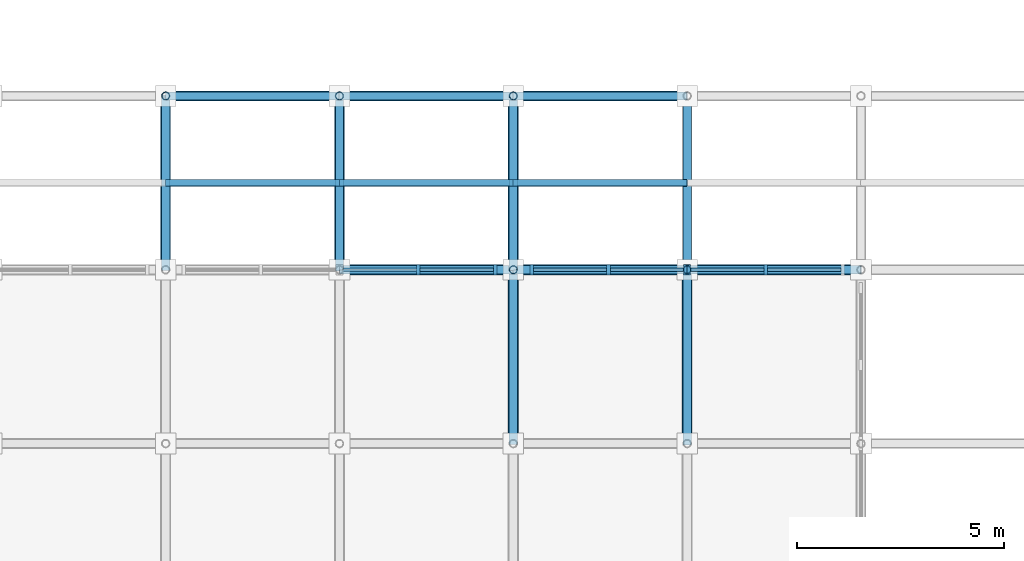
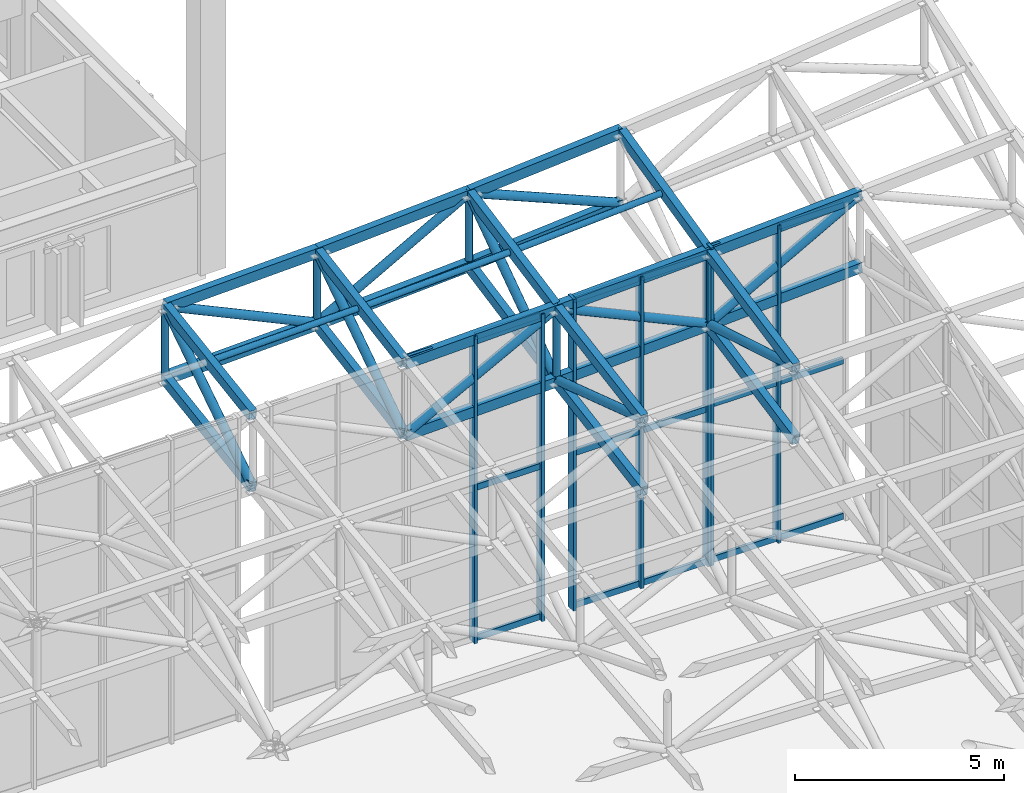
# One storey, part 57 of 123: 65 members, 3 elements without a shape of their own.
"""IFC4 building model written with IfcOpenShell, lengths in metres."""

from ifc_helpers import new_model, si_unit, direction, frame, origin, origin_2d, place, context, subcontext, project, spatial, rectangle, hollow_rectangle, hollow_circle, extrude, material, material_profile, profile_set, type_object, element, aggregate, save


model = new_model("IFC4")

# Units and contexts
model_context = context("Model", 3, precision=1e-05, world=origin(), true_north=direction((0.0, 1.0)))
body_context = subcontext(model_context, "Body", "Model", "MODEL_VIEW")
ifc_project = project(units=[si_unit("LENGTHUNIT", "METRE"), si_unit("AREAUNIT", "SQUARE_METRE"), si_unit("VOLUMEUNIT", "CUBIC_METRE"), si_unit("PLANEANGLEUNIT", "RADIAN"), si_unit("MASSUNIT", "GRAM", prefix="KILO")], contexts=[model_context])

# Site, building, storey
site_placement = place(None, origin())
site = spatial("IfcSite", under=ifc_project, at=site_placement, CompositionType="ELEMENT")
building_placement = place(site_placement, origin())
building = spatial("IfcBuilding", under=site, at=building_placement, Name="Cumbredor Promenade Congress Hotel", CompositionType="ELEMENT")
storey_placement = place(building_placement, frame((0.0, 0.0, 11.760009765625)))
storey = spatial("IfcBuildingStorey", under=building, at=storey_placement, Name="L03", CompositionType="ELEMENT", Elevation=11.760009765625)

# Members
ifc_material_1 = material(Name="Steel ASTM A500 Grade C", Category="steel")
ifc_material_profile_1 = material_profile(ifc_material_1, hollow_rectangle(XDim=0.199951171875, YDim=0.300048828125, WallThickness=0.012451171875, at=origin_2d()), Name="HSS 300x200x12.5")
ifc_profile_set_1 = profile_set([ifc_material_profile_1], Name="Steel ASTM A500 Grade C")
member_type_1 = type_object("IfcMemberType", Name="Ballroom Roof Space Frame Chord", PredefinedType="CHORD", material=ifc_profile_set_1)
for number, where, z_axis, x_axis, name in (
    (1, (172.199951171875, 67.199951171875, 8.807373046875), (0.999569410131, 0.0, 0.029342704884), (0.0, 1.0, 0.0), "Grand Ballroom Pavilion X Top Chord 9.17"),
    (2, (172.199951171875, 67.199951171875, 6.707275390625), (0.999567704243, 0.0, 0.029400759074), (0.0, 1.0, 0.0), "Grand Ballroom Pavilion X Bottom Chord 9.17"),
):
    element("IfcMember", number, at=place(storey_placement, frame(where, z_axis=z_axis, x_axis=x_axis)), inside=storey, type_object=member_type_1, Name=name, PredefinedType="CHORD", context=body_context, shape_type="SweptSolid", body=[
        extrude(hollow_rectangle(XDim=0.199951171875, YDim=0.300048828125, WallThickness=0.012451171875, at=origin_2d()), origin(), (0.0, 0.0, 1.0), 4.20166015625),
    ])
member_1_placement = place(storey_placement, frame((176.39990234375, 67.199951171875, 8.9306640625), z_axis=(0.99915666464, 0.0, 0.041060437218), x_axis=(0.0, 1.0, 0.0)))
element("IfcMember", 3, at=member_1_placement, inside=storey, type_object=member_type_1, Name="Grand Ballroom Pavilion X Top Chord 10.17", PredefinedType="CHORD", context=body_context, shape_type="SweptSolid", body=[
    extrude(hollow_rectangle(XDim=0.199951171875, YDim=0.300048828125, WallThickness=0.012451171875, at=origin_2d()), origin(), (0.0, 0.0, 1.0), 4.203857421875),
])
member_2_placement = place(storey_placement, frame((176.39990234375, 67.199951171875, 6.830810546875), z_axis=(0.99915904562, 0.0, 0.041002457929), x_axis=(0.0, 1.0, 0.0)))
element("IfcMember", 4, at=member_2_placement, inside=storey, type_object=member_type_1, Name="Grand Ballroom Pavilion X Bottom Chord 10.17", PredefinedType="CHORD", context=body_context, shape_type="SweptSolid", body=[
    extrude(hollow_rectangle(XDim=0.199951171875, YDim=0.300048828125, WallThickness=0.012451171875, at=origin_2d()), origin(), (0.0, 0.0, 1.0), 4.20361328125),
])
for number, where, z_axis, x_axis, name in (
    (5, (180.60009765625, 67.199951171875, 9.103271484375), (0.998616064852, 0.0, 0.052592347541), (0.0, 1.0, 0.0), "Grand Ballroom Pavilion X Top Chord 11.17"),
    (6, (180.60009765625, 67.199951171875, 7.003173828125), (0.998613014478, 0.0, 0.052650235664), (0.0, 1.0, 0.0), "Grand Ballroom Pavilion X Bottom Chord 11.17"),
):
    element("IfcMember", number, at=place(storey_placement, frame(where, z_axis=z_axis, x_axis=x_axis)), inside=storey, type_object=member_type_1, Name=name, PredefinedType="CHORD", context=body_context, shape_type="SweptSolid", body=[
        extrude(hollow_rectangle(XDim=0.199951171875, YDim=0.300048828125, WallThickness=0.012451171875, at=origin_2d()), origin(), (0.0, 0.0, 1.0), 4.205810546875),
    ])
for number, where, z_axis, x_axis, name in (
    (7, (168.0, 71.39990234375, 9.376220703125), (0.999437986157, 0.0, 0.033521811196), (0.0, 1.0, 0.0), "Grand Ballroom Pavilion X Top Chord 8.18"),
    (8, (168.0, 71.39990234375, 7.276123046875), (0.999437986157, 0.0, 0.033521811196), (0.0, 1.0, 0.0), "Grand Ballroom Pavilion X Bottom Chord 8.18"),
):
    element("IfcMember", number, at=place(storey_placement, frame(where, z_axis=z_axis, x_axis=x_axis)), inside=storey, type_object=member_type_1, Name=name, PredefinedType="CHORD", context=body_context, shape_type="SweptSolid", body=[
        extrude(hollow_rectangle(XDim=0.199951171875, YDim=0.300048828125, WallThickness=0.012451171875, at=origin_2d()), origin(), (0.0, 0.0, 1.0), 4.202392578125),
    ])
for number, where, z_axis, x_axis, name in (
    (9, (172.199951171875, 71.39990234375, 9.51708984375), (0.998446571725, 0.0, 0.055717532341), (0.0, 1.0, 0.0), "Grand Ballroom Pavilion X Top Chord 9.18"),
    (10, (172.199951171875, 71.39990234375, 7.4169921875), (0.998443341288, 0.0, 0.055775390977), (0.0, 1.0, 0.0), "Grand Ballroom Pavilion X Bottom Chord 9.18"),
):
    element("IfcMember", number, at=place(storey_placement, frame(where, z_axis=z_axis, x_axis=x_axis)), inside=storey, type_object=member_type_1, Name=name, PredefinedType="CHORD", context=body_context, shape_type="SweptSolid", body=[
        extrude(hollow_rectangle(XDim=0.199951171875, YDim=0.300048828125, WallThickness=0.012451171875, at=origin_2d()), origin(), (0.0, 0.0, 1.0), 4.20654296875),
    ])
for number, where, z_axis, x_axis, name in (
    (11, (176.39990234375, 71.39990234375, 9.75146484375), (0.996962422583, 0.0, 0.077884067423), (0.0, 1.0, 0.0), "Grand Ballroom Pavilion X Top Chord 10.18"),
    (12, (176.39990234375, 71.39990234375, 7.651611328125), (0.996962422583, 0.0, 0.077884067423), (0.0, 1.0, 0.0), "Grand Ballroom Pavilion X Bottom Chord 10.18"),
):
    element("IfcMember", number, at=place(storey_placement, frame(where, z_axis=z_axis, x_axis=x_axis)), inside=storey, type_object=member_type_1, Name=name, PredefinedType="CHORD", context=body_context, shape_type="SweptSolid", body=[
        extrude(hollow_rectangle(XDim=0.199951171875, YDim=0.300048828125, WallThickness=0.012451171875, at=origin_2d()), origin(), (0.0, 0.0, 1.0), 4.212890625),
    ])
for number, where, z_axis, x_axis, name in (
    (13, (168.0, 67.199951171875, 8.7333984375), (0.0, 0.988488979829, 0.151292884025), (-1.0, 0.0, 0.0), "Grand Ballroom Pavilion Y Top Chord 8.17"),
    (14, (168.0, 67.199951171875, 6.63330078125), (0.0, 0.988488979829, 0.151292884025), (-1.0, 0.0, 0.0), "Grand Ballroom Pavilion Y Bottom Chord 8.17"),
):
    element("IfcMember", number, at=place(storey_placement, frame(where, z_axis=z_axis, x_axis=x_axis)), inside=storey, type_object=member_type_1, Name=name, PredefinedType="CHORD", context=body_context, shape_type="SweptSolid", body=[
        extrude(hollow_rectangle(XDim=0.199951171875, YDim=0.300048828125, WallThickness=0.012451171875, at=origin_2d()), origin(), (0.0, 0.0, 1.0), 4.248779296875),
    ])
for number, where, z_axis, x_axis, name in (
    (15, (172.199951171875, 67.199951171875, 8.807373046875), (0.0, 0.986021186806, 0.166619984308), (-1.0, 0.0, 0.0), "Grand Ballroom Pavilion Y Top Chord 9.17"),
    (16, (172.199951171875, 67.199951171875, 6.707275390625), (0.0, 0.986021186806, 0.166619984308), (-1.0, 0.0, 0.0), "Grand Ballroom Pavilion Y Bottom Chord 9.17"),
):
    element("IfcMember", number, at=place(storey_placement, frame(where, z_axis=z_axis, x_axis=x_axis)), inside=storey, type_object=member_type_1, Name=name, PredefinedType="CHORD", context=body_context, shape_type="SweptSolid", body=[
        extrude(hollow_rectangle(XDim=0.199951171875, YDim=0.300048828125, WallThickness=0.012451171875, at=origin_2d()), origin(), (0.0, 0.0, 1.0), 4.259521484375),
    ])
for number, where, z_axis, x_axis, name in (
    (17, (176.39990234375, 63.0, 8.215576171875), (0.0, 0.985813302851, 0.167845559731), (-1.0, 0.0, 0.0), "Grand Ballroom Pavilion Y Top Chord 10.16"),
    (18, (176.39990234375, 63.0, 6.115478515625), (0.0, 0.985803819477, 0.167901249263), (-1.0, 0.0, 0.0), "Grand Ballroom Pavilion Y Bottom Chord 10.16"),
):
    element("IfcMember", number, at=place(storey_placement, frame(where, z_axis=z_axis, x_axis=x_axis)), inside=storey, type_object=member_type_1, Name=name, PredefinedType="CHORD", context=body_context, shape_type="SweptSolid", body=[
        extrude(hollow_rectangle(XDim=0.199951171875, YDim=0.300048828125, WallThickness=0.012451171875, at=origin_2d()), origin(), (0.0, 0.0, 1.0), 4.260498046875),
    ])
for number, where, z_axis, x_axis, name in (
    (19, (176.39990234375, 67.199951171875, 8.9306640625), (0.0, 0.981433531081, 0.191802565337), (-1.0, 0.0, 0.0), "Grand Ballroom Pavilion Y Top Chord 10.17"),
    (20, (176.39990234375, 67.199951171875, 6.830810546875), (0.0, 0.981433531081, 0.191802565337), (-1.0, 0.0, 0.0), "Grand Ballroom Pavilion Y Bottom Chord 10.17"),
):
    element("IfcMember", number, at=place(storey_placement, frame(where, z_axis=z_axis, x_axis=x_axis)), inside=storey, type_object=member_type_1, Name=name, PredefinedType="CHORD", context=body_context, shape_type="SweptSolid", body=[
        extrude(hollow_rectangle(XDim=0.199951171875, YDim=0.300048828125, WallThickness=0.012451171875, at=origin_2d()), origin(), (0.0, 0.0, 1.0), 4.279296875),
    ])
for number, where, z_axis, x_axis, name in (
    (21, (180.60009765625, 63.0, 8.253173828125), (0.0, 0.9801244518, 0.198383615716), (-1.0, 0.0, 0.0), "Grand Ballroom Pavilion Y Top Chord 11.16"),
    (22, (180.60009765625, 63.0, 6.153076171875), (0.0, 0.9801244518, 0.198383615716), (-1.0, 0.0, 0.0), "Grand Ballroom Pavilion Y Bottom Chord 11.16"),
):
    element("IfcMember", number, at=place(storey_placement, frame(where, z_axis=z_axis, x_axis=x_axis)), inside=storey, type_object=member_type_1, Name=name, PredefinedType="CHORD", context=body_context, shape_type="SweptSolid", body=[
        extrude(hollow_rectangle(XDim=0.199951171875, YDim=0.300048828125, WallThickness=0.012451171875, at=origin_2d()), origin(), (0.0, 0.0, 1.0), 4.28515625),
    ])
member_3_placement = place(storey_placement, frame((180.60009765625, 67.199951171875, 9.103271484375), z_axis=(0.0, 0.97402922975, 0.226422303655), x_axis=(-1.0, 0.0, 0.0)))
element("IfcMember", 23, at=member_3_placement, inside=storey, type_object=member_type_1, Name="Grand Ballroom Pavilion Y Top Chord 11.17", PredefinedType="CHORD", context=body_context, shape_type="SweptSolid", body=[
    extrude(hollow_rectangle(XDim=0.199951171875, YDim=0.300048828125, WallThickness=0.012451171875, at=origin_2d()), origin(), (0.0, 0.0, 1.0), 4.31201171875),
])

# Curtain wall, members
ifc_material_2 = material(Name="Thermally broken anodized aluminium and low-E glass", Category="aluminium")
curtain_wall_type = type_object("IfcCurtainWallType", Name="Stepped Pavilion Clerestory Curtain Wall CW-06", PredefinedType="NOTDEFINED", material=ifc_material_2)
curtain_wall_1_placement = place(storey_placement, origin())
curtain_wall_1 = element("IfcCurtainWall", 24, at=curtain_wall_1_placement, inside=storey, type_object=curtain_wall_type, Name="Grand Ballroom Pavilion N Glazed Clerestory 8", PredefinedType="NOTDEFINED")
ifc_material_3 = material(Name="Thermally broken anodized aluminium", Category="aluminium")
ifc_material_profile_2 = material_profile(ifc_material_3, rectangle(XDim=0.0849609375, YDim=0.260009765625, at=origin_2d()), Name="ALU MULLION CLERESTORY 85x260")
ifc_profile_set_2 = profile_set([ifc_material_profile_2], Name="Thermally broken anodized aluminium")
member_type_2 = type_object("IfcMemberType", Name="Curtain Wall Mullion ML-04", PredefinedType="MULLION", material=ifc_profile_set_2)
member_4_placement = place(storey_placement, frame((174.10009765625, 67.199951171875, -0.01806640625), z_axis=(0.0, 0.0, 1.0), x_axis=(1.0, 0.0, 0.0)))
member_4 = element("IfcMember", 25, at=member_4_placement, type_object=member_type_2, Name="Grand Ballroom Pavilion N Glazed Clerestory 8 Mullion 2", PredefinedType="MULLION", context=body_context, shape_type="SweptSolid", body=[
    extrude(rectangle(XDim=0.0849609375, YDim=0.260009765625, at=origin_2d()), origin(), (0.0, 0.0, 1.0), 9.00146484375),
])
member_5_placement = place(storey_placement, frame((175.9599609375, 67.199951171875, -0.01806640625), z_axis=(0.0, 0.0, 1.0), x_axis=(1.0, 0.0, 0.0)))
member_5 = element("IfcMember", 26, at=member_5_placement, type_object=member_type_2, Name="Grand Ballroom Pavilion N Glazed Clerestory 8 Mullion 3", PredefinedType="MULLION", context=body_context, shape_type="SweptSolid", body=[
    extrude(rectangle(XDim=0.0849609375, YDim=0.260009765625, at=origin_2d()), origin(), (0.0, 0.0, 1.0), 9.00146484375),
])

curtain_wall_2_placement = place(storey_placement, origin())
curtain_wall_2 = element("IfcCurtainWall", 27, at=curtain_wall_2_placement, inside=storey, type_object=curtain_wall_type, Name="Grand Ballroom Pavilion N Glazed Clerestory 9", PredefinedType="NOTDEFINED")
member_6_placement = place(storey_placement, frame((176.840087890625, 67.199951171875, -0.01806640625), z_axis=(0.0, 0.0, 1.0), x_axis=(1.0, 0.0, 0.0)))
member_6 = element("IfcMember", 28, at=member_6_placement, type_object=member_type_2, Name="Grand Ballroom Pavilion N Glazed Clerestory 9 Mullion 1", PredefinedType="MULLION", context=body_context, shape_type="SweptSolid", body=[
    extrude(rectangle(XDim=0.0849609375, YDim=0.260009765625, at=origin_2d()), origin(), (0.0, 0.0, 1.0), 9.124755859375),
])
member_7_placement = place(storey_placement, frame((178.699951171875, 67.199951171875, -0.01806640625), z_axis=(0.0, 0.0, 1.0), x_axis=(1.0, 0.0, 0.0)))
member_7 = element("IfcMember", 29, at=member_7_placement, type_object=member_type_2, Name="Grand Ballroom Pavilion N Glazed Clerestory 9 Mullion 2", PredefinedType="MULLION", context=body_context, shape_type="SweptSolid", body=[
    extrude(rectangle(XDim=0.0849609375, YDim=0.260009765625, at=origin_2d()), origin(), (0.0, 0.0, 1.0), 9.124755859375),
])
member_8_placement = place(storey_placement, frame((180.56005859375, 67.199951171875, -0.01806640625), z_axis=(0.0, 0.0, 1.0), x_axis=(1.0, 0.0, 0.0)))
member_8 = element("IfcMember", 30, at=member_8_placement, type_object=member_type_2, Name="Grand Ballroom Pavilion N Glazed Clerestory 9 Mullion 3", PredefinedType="MULLION", context=body_context, shape_type="SweptSolid", body=[
    extrude(rectangle(XDim=0.0849609375, YDim=0.260009765625, at=origin_2d()), origin(), (0.0, 0.0, 1.0), 9.124755859375),
])

curtain_wall_3_placement = place(storey_placement, origin())
curtain_wall_3 = element("IfcCurtainWall", 31, at=curtain_wall_3_placement, inside=storey, type_object=curtain_wall_type, Name="Grand Ballroom Pavilion N Glazed Clerestory 10", PredefinedType="NOTDEFINED")
member_9_placement = place(storey_placement, frame((180.639892578125, 67.199951171875, -0.01806640625), z_axis=(0.0, 0.0, 1.0), x_axis=(1.0, 0.0, 0.0)))
member_9 = element("IfcMember", 32, at=member_9_placement, type_object=member_type_2, Name="Grand Ballroom Pavilion N Glazed Clerestory 10 Mullion 1", PredefinedType="MULLION", context=body_context, shape_type="SweptSolid", body=[
    extrude(rectangle(XDim=0.0849609375, YDim=0.260009765625, at=origin_2d()), origin(), (0.0, 0.0, 1.0), 9.29736328125),
])
member_10_placement = place(storey_placement, frame((182.5, 67.199951171875, -0.01806640625), z_axis=(0.0, 0.0, 1.0), x_axis=(1.0, 0.0, 0.0)))
member_10 = element("IfcMember", 33, at=member_10_placement, type_object=member_type_2, Name="Grand Ballroom Pavilion N Glazed Clerestory 10 Mullion 2", PredefinedType="MULLION", context=body_context, shape_type="SweptSolid", body=[
    extrude(rectangle(XDim=0.0849609375, YDim=0.260009765625, at=origin_2d()), origin(), (0.0, 0.0, 1.0), 9.29736328125),
])

# Member
ifc_material_profile_3 = material_profile(ifc_material_3, rectangle(XDim=0.080078125, YDim=0.179931640625, at=origin_2d()), Name="ALU TRANSOM 80x180")
ifc_profile_set_3 = profile_set([ifc_material_profile_3], Name="Thermally broken anodized aluminium")
member_type_3 = type_object("IfcMemberType", Name="Curtain Wall Transom TR-03", PredefinedType="USERDEFINED", material=ifc_profile_set_3)
member_11_placement = place(storey_placement, frame((172.282470703125, 67.199951171875, 8.889892578125), z_axis=(1.0, 0.0, 0.0), x_axis=(0.0, 1.0, 0.0)))
member_11 = element("IfcMember", 34, at=member_11_placement, type_object=member_type_3, Name="Grand Ballroom Pavilion N Glazed Clerestory 8 Transom 1.3", ObjectType="TRANSOM", PredefinedType="USERDEFINED", context=body_context, shape_type="SweptSolid", body=[
    extrude(rectangle(XDim=0.080078125, YDim=0.179931640625, at=origin_2d()), origin(), (0.0, 0.0, 1.0), 1.775146484375),
])

member_12_placement = place(storey_placement, frame((174.142578125, 67.199951171875, 0.080078125), z_axis=(1.0, 0.0, 0.0), x_axis=(0.0, 1.0, 0.0)))
member_12 = element("IfcMember", 35, at=member_12_placement, type_object=member_type_3, Name="Grand Ballroom Pavilion N Glazed Clerestory 8 Transom 2.1", ObjectType="TRANSOM", PredefinedType="USERDEFINED", context=body_context, shape_type="SweptSolid", body=[
    extrude(rectangle(XDim=0.080078125, YDim=0.179931640625, at=origin_2d()), origin(), (0.0, 0.0, 1.0), 1.77490234375),
])

member_13_placement = place(storey_placement, frame((174.142578125, 67.199951171875, 4.47998046875), z_axis=(1.0, 0.0, 0.0), x_axis=(0.0, 1.0, 0.0)))
member_13 = element("IfcMember", 36, at=member_13_placement, type_object=member_type_3, Name="Grand Ballroom Pavilion N Glazed Clerestory 8 Transom 2.2", ObjectType="TRANSOM", PredefinedType="USERDEFINED", context=body_context, shape_type="SweptSolid", body=[
    extrude(rectangle(XDim=0.080078125, YDim=0.179931640625, at=origin_2d()), origin(), (0.0, 0.0, 1.0), 1.77490234375),
])

member_14_placement = place(storey_placement, frame((174.142578125, 67.199951171875, 8.889892578125), z_axis=(1.0, 0.0, 0.0), x_axis=(0.0, 1.0, 0.0)))
member_14 = element("IfcMember", 37, at=member_14_placement, type_object=member_type_3, Name="Grand Ballroom Pavilion N Glazed Clerestory 8 Transom 2.3", ObjectType="TRANSOM", PredefinedType="USERDEFINED", context=body_context, shape_type="SweptSolid", body=[
    extrude(rectangle(XDim=0.080078125, YDim=0.179931640625, at=origin_2d()), origin(), (0.0, 0.0, 1.0), 1.77490234375),
])

aggregate(curtain_wall_1, [member_4, member_5, member_11, member_12, member_13, member_14])

member_15_placement = place(storey_placement, frame((176.882568359375, 67.199951171875, 0.080078125), z_axis=(1.0, 0.0, 0.0), x_axis=(0.0, 1.0, 0.0)))
member_15 = element("IfcMember", 38, at=member_15_placement, type_object=member_type_3, Name="Grand Ballroom Pavilion N Glazed Clerestory 9 Transom 1.1", ObjectType="TRANSOM", PredefinedType="USERDEFINED", context=body_context, shape_type="SweptSolid", body=[
    extrude(rectangle(XDim=0.080078125, YDim=0.179931640625, at=origin_2d()), origin(), (0.0, 0.0, 1.0), 1.77490234375),
])

member_16_placement = place(storey_placement, frame((176.882568359375, 67.199951171875, 4.5400390625), z_axis=(1.0, 0.0, 0.0), x_axis=(0.0, 1.0, 0.0)))
member_16 = element("IfcMember", 39, at=member_16_placement, type_object=member_type_3, Name="Grand Ballroom Pavilion N Glazed Clerestory 9 Transom 1.2", ObjectType="TRANSOM", PredefinedType="USERDEFINED", context=body_context, shape_type="SweptSolid", body=[
    extrude(rectangle(XDim=0.080078125, YDim=0.179931640625, at=origin_2d()), origin(), (0.0, 0.0, 1.0), 1.77490234375),
])

member_17_placement = place(storey_placement, frame((176.882568359375, 67.199951171875, 9.010009765625), z_axis=(1.0, 0.0, 0.0), x_axis=(0.0, 1.0, 0.0)))
member_17 = element("IfcMember", 40, at=member_17_placement, type_object=member_type_3, Name="Grand Ballroom Pavilion N Glazed Clerestory 9 Transom 1.3", ObjectType="TRANSOM", PredefinedType="USERDEFINED", context=body_context, shape_type="SweptSolid", body=[
    extrude(rectangle(XDim=0.080078125, YDim=0.179931640625, at=origin_2d()), origin(), (0.0, 0.0, 1.0), 1.77490234375),
])

member_18_placement = place(storey_placement, frame((178.742431640625, 67.199951171875, 0.080078125), z_axis=(1.0, 0.0, 0.0), x_axis=(0.0, 1.0, 0.0)))
member_18 = element("IfcMember", 41, at=member_18_placement, type_object=member_type_3, Name="Grand Ballroom Pavilion N Glazed Clerestory 9 Transom 2.1", ObjectType="TRANSOM", PredefinedType="USERDEFINED", context=body_context, shape_type="SweptSolid", body=[
    extrude(rectangle(XDim=0.080078125, YDim=0.179931640625, at=origin_2d()), origin(), (0.0, 0.0, 1.0), 1.775146484375),
])

member_19_placement = place(storey_placement, frame((178.742431640625, 67.199951171875, 4.5400390625), z_axis=(1.0, 0.0, 0.0), x_axis=(0.0, 1.0, 0.0)))
member_19 = element("IfcMember", 42, at=member_19_placement, type_object=member_type_3, Name="Grand Ballroom Pavilion N Glazed Clerestory 9 Transom 2.2", ObjectType="TRANSOM", PredefinedType="USERDEFINED", context=body_context, shape_type="SweptSolid", body=[
    extrude(rectangle(XDim=0.080078125, YDim=0.179931640625, at=origin_2d()), origin(), (0.0, 0.0, 1.0), 1.775146484375),
])

member_20_placement = place(storey_placement, frame((178.742431640625, 67.199951171875, 9.010009765625), z_axis=(1.0, 0.0, 0.0), x_axis=(0.0, 1.0, 0.0)))
member_20 = element("IfcMember", 43, at=member_20_placement, type_object=member_type_3, Name="Grand Ballroom Pavilion N Glazed Clerestory 9 Transom 2.3", ObjectType="TRANSOM", PredefinedType="USERDEFINED", context=body_context, shape_type="SweptSolid", body=[
    extrude(rectangle(XDim=0.080078125, YDim=0.179931640625, at=origin_2d()), origin(), (0.0, 0.0, 1.0), 1.775146484375),
])

aggregate(curtain_wall_2, [member_6, member_7, member_8, member_15, member_16, member_17, member_18, member_19, member_20])

member_21_placement = place(storey_placement, frame((180.6826171875, 67.199951171875, 0.080078125), z_axis=(1.0, 0.0, 0.0), x_axis=(0.0, 1.0, 0.0)))
member_21 = element("IfcMember", 44, at=member_21_placement, type_object=member_type_3, Name="Grand Ballroom Pavilion N Glazed Clerestory 10 Transom 1.1", ObjectType="TRANSOM", PredefinedType="USERDEFINED", context=body_context, shape_type="SweptSolid", body=[
    extrude(rectangle(XDim=0.080078125, YDim=0.179931640625, at=origin_2d()), origin(), (0.0, 0.0, 1.0), 1.77490234375),
])

member_22_placement = place(storey_placement, frame((180.6826171875, 67.199951171875, 4.6298828125), z_axis=(1.0, 0.0, 0.0), x_axis=(0.0, 1.0, 0.0)))
member_22 = element("IfcMember", 45, at=member_22_placement, type_object=member_type_3, Name="Grand Ballroom Pavilion N Glazed Clerestory 10 Transom 1.2", ObjectType="TRANSOM", PredefinedType="USERDEFINED", context=body_context, shape_type="SweptSolid", body=[
    extrude(rectangle(XDim=0.080078125, YDim=0.179931640625, at=origin_2d()), origin(), (0.0, 0.0, 1.0), 1.77490234375),
])

member_23_placement = place(storey_placement, frame((180.6826171875, 67.199951171875, 9.179931640625), z_axis=(1.0, 0.0, 0.0), x_axis=(0.0, 1.0, 0.0)))
member_23 = element("IfcMember", 46, at=member_23_placement, type_object=member_type_3, Name="Grand Ballroom Pavilion N Glazed Clerestory 10 Transom 1.3", ObjectType="TRANSOM", PredefinedType="USERDEFINED", context=body_context, shape_type="SweptSolid", body=[
    extrude(rectangle(XDim=0.080078125, YDim=0.179931640625, at=origin_2d()), origin(), (0.0, 0.0, 1.0), 1.77490234375),
])

member_24_placement = place(storey_placement, frame((182.54248046875, 67.199951171875, 0.080078125), z_axis=(1.0, 0.0, 0.0), x_axis=(0.0, 1.0, 0.0)))
member_24 = element("IfcMember", 47, at=member_24_placement, type_object=member_type_3, Name="Grand Ballroom Pavilion N Glazed Clerestory 10 Transom 2.1", ObjectType="TRANSOM", PredefinedType="USERDEFINED", context=body_context, shape_type="SweptSolid", body=[
    extrude(rectangle(XDim=0.080078125, YDim=0.179931640625, at=origin_2d()), origin(), (0.0, 0.0, 1.0), 1.77490234375),
])

member_25_placement = place(storey_placement, frame((182.54248046875, 67.199951171875, 4.6298828125), z_axis=(1.0, 0.0, 0.0), x_axis=(0.0, 1.0, 0.0)))
member_25 = element("IfcMember", 48, at=member_25_placement, type_object=member_type_3, Name="Grand Ballroom Pavilion N Glazed Clerestory 10 Transom 2.2", ObjectType="TRANSOM", PredefinedType="USERDEFINED", context=body_context, shape_type="SweptSolid", body=[
    extrude(rectangle(XDim=0.080078125, YDim=0.179931640625, at=origin_2d()), origin(), (0.0, 0.0, 1.0), 1.77490234375),
])

member_26_placement = place(storey_placement, frame((182.54248046875, 67.199951171875, 9.179931640625), z_axis=(1.0, 0.0, 0.0), x_axis=(0.0, 1.0, 0.0)))
member_26 = element("IfcMember", 49, at=member_26_placement, type_object=member_type_3, Name="Grand Ballroom Pavilion N Glazed Clerestory 10 Transom 2.3", ObjectType="TRANSOM", PredefinedType="USERDEFINED", context=body_context, shape_type="SweptSolid", body=[
    extrude(rectangle(XDim=0.080078125, YDim=0.179931640625, at=origin_2d()), origin(), (0.0, 0.0, 1.0), 1.77490234375),
])

aggregate(curtain_wall_3, [member_9, member_10, member_21, member_22, member_23, member_24, member_25, member_26])

# Members
ifc_material_profile_4 = material_profile(ifc_material_1, hollow_circle(Radius=0.084228515625, WallThickness=0.010009765625, at=origin_2d()), Name="CHS 168.3x10")
ifc_profile_set_4 = profile_set([ifc_material_profile_4], Name="Steel ASTM A500 Grade C")
member_type_4 = type_object("IfcMemberType", Name="Roof Purlin CHS168", PredefinedType="PURLIN", material=ifc_profile_set_4)
member_27_placement = place(storey_placement, frame((168.0, 69.300048828125, 9.034912109375), z_axis=(0.999674554241, 0.0, 0.025510499873), x_axis=(0.0, 1.0, 0.0)))
element("IfcMember", 50, at=member_27_placement, inside=storey, type_object=member_type_4, Name="Grand Ballroom Pavilion Roof Eave Purlin 8.17", PredefinedType="PURLIN", context=body_context, shape_type="SweptSolid", body=[
    extrude(hollow_circle(Radius=0.084228515625, WallThickness=0.010009765625, at=origin_2d()), origin(), (0.0, 0.0, 1.0), 4.201416015625),
])
member_28_placement = place(storey_placement, frame((172.199951171875, 69.300048828125, 9.14208984375), z_axis=(0.999093477233, 0.0, 0.042570221404), x_axis=(0.0, 1.0, 0.0)))
element("IfcMember", 51, at=member_28_placement, inside=storey, type_object=member_type_4, Name="Grand Ballroom Pavilion Roof Eave Purlin 9.17", PredefinedType="PURLIN", context=body_context, shape_type="SweptSolid", body=[
    extrude(hollow_circle(Radius=0.084228515625, WallThickness=0.010009765625, at=origin_2d()), origin(), (0.0, 0.0, 1.0), 4.203857421875),
])
member_29_placement = place(storey_placement, frame((176.39990234375, 69.300048828125, 9.321044921875), z_axis=(0.998226426132, 0.0, 0.059531522507), x_axis=(0.0, 1.0, 0.0)))
element("IfcMember", 52, at=member_29_placement, inside=storey, type_object=member_type_4, Name="Grand Ballroom Pavilion Roof Eave Purlin 10.17", PredefinedType="PURLIN", context=body_context, shape_type="SweptSolid", body=[
    extrude(hollow_circle(Radius=0.084228515625, WallThickness=0.010009765625, at=origin_2d()), origin(), (0.0, 0.0, 1.0), 4.207763671875),
])
ifc_material_profile_5 = material_profile(ifc_material_1, hollow_circle(Radius=0.122314453125, WallThickness=0.012451171875, at=origin_2d()), Name="CHS 244.5x12.5")
ifc_profile_set_5 = profile_set([ifc_material_profile_5], Name="Steel ASTM A500 Grade C")
member_type_5 = type_object("IfcMemberType", Name="Space Frame Web Diagonal D2", PredefinedType="BRACE", material=ifc_profile_set_5)
member_30_placement = place(storey_placement, frame((172.199951171875, 67.199951171875, 6.707275390625), z_axis=(0.883797913372, 0.0, 0.467868836661), x_axis=(0.0, 1.0, 0.0)))
element("IfcMember", 53, at=member_30_placement, inside=storey, type_object=member_type_5, Name="Grand Ballroom Pavilion X Web Diagonal 9.17", PredefinedType="BRACE", context=body_context, shape_type="SweptSolid", body=[
    extrude(hollow_circle(Radius=0.122314453125, WallThickness=0.012451171875, at=origin_2d()), origin(), (0.0, 0.0, 1.0), 4.752197265625),
])
member_31_placement = place(storey_placement, frame((176.39990234375, 67.199951171875, 8.9306640625), z_axis=(0.908867958602, 0.0, -0.41708396496), x_axis=(0.0, 1.0, 0.0)))
element("IfcMember", 54, at=member_31_placement, inside=storey, type_object=member_type_5, Name="Grand Ballroom Pavilion X Web Diagonal 10.17", PredefinedType="BRACE", context=body_context, shape_type="SweptSolid", body=[
    extrude(hollow_circle(Radius=0.122314453125, WallThickness=0.012451171875, at=origin_2d()), origin(), (0.0, 0.0, 1.0), 4.621337890625),
])
member_32_placement = place(storey_placement, frame((180.60009765625, 67.199951171875, 7.003173828125), z_axis=(0.875218296148, 0.0, 0.483728161354), x_axis=(0.0, 1.0, 0.0)))
element("IfcMember", 55, at=member_32_placement, inside=storey, type_object=member_type_5, Name="Grand Ballroom Pavilion X Web Diagonal 11.17", PredefinedType="BRACE", context=body_context, shape_type="SweptSolid", body=[
    extrude(hollow_circle(Radius=0.122314453125, WallThickness=0.012451171875, at=origin_2d()), origin(), (0.0, 0.0, 1.0), 4.798828125),
])
member_33_placement = place(storey_placement, frame((168.0, 71.39990234375, 9.376220703125), z_axis=(0.906245038283, 0.0, -0.422752800803), x_axis=(0.0, 1.0, 0.0)))
element("IfcMember", 56, at=member_33_placement, inside=storey, type_object=member_type_5, Name="Grand Ballroom Pavilion X Web Diagonal 8.18", PredefinedType="BRACE", context=body_context, shape_type="SweptSolid", body=[
    extrude(hollow_circle(Radius=0.122314453125, WallThickness=0.012451171875, at=origin_2d()), origin(), (0.0, 0.0, 1.0), 4.634521484375),
])
member_34_placement = place(storey_placement, frame((172.199951171875, 71.39990234375, 7.4169921875), z_axis=(0.874054201985, 0.0, 0.485828418263), x_axis=(0.0, 1.0, 0.0)))
element("IfcMember", 57, at=member_34_placement, inside=storey, type_object=member_type_5, Name="Grand Ballroom Pavilion X Web Diagonal 9.18", PredefinedType="BRACE", context=body_context, shape_type="SweptSolid", body=[
    extrude(hollow_circle(Radius=0.122314453125, WallThickness=0.012451171875, at=origin_2d()), origin(), (0.0, 0.0, 1.0), 4.80517578125),
])
member_35_placement = place(storey_placement, frame((176.39990234375, 71.39990234375, 9.75146484375), z_axis=(0.921382141561, 0.0, -0.388657881964), x_axis=(0.0, 1.0, 0.0)))
element("IfcMember", 58, at=member_35_placement, inside=storey, type_object=member_type_5, Name="Grand Ballroom Pavilion X Web Diagonal 10.18", PredefinedType="BRACE", context=body_context, shape_type="SweptSolid", body=[
    extrude(hollow_circle(Radius=0.122314453125, WallThickness=0.012451171875, at=origin_2d()), origin(), (0.0, 0.0, 1.0), 4.55859375),
])
member_36_placement = place(storey_placement, frame((168.0, 67.199951171875, 6.63330078125), z_axis=(0.0, 0.837261864729, 0.546802130456), x_axis=(-1.0, 0.0, 0.0)))
element("IfcMember", 59, at=member_36_placement, inside=storey, type_object=member_type_5, Name="Grand Ballroom Pavilion Y Web Diagonal 8.17", PredefinedType="BRACE", context=body_context, shape_type="SweptSolid", body=[
    extrude(hollow_circle(Radius=0.122314453125, WallThickness=0.012451171875, at=origin_2d()), origin(), (0.0, 0.0, 1.0), 5.016357421875),
])
member_37_placement = place(storey_placement, frame((172.199951171875, 67.199951171875, 6.707275390625), z_axis=(0.0, 0.831149812543, 0.556048549239), x_axis=(-1.0, 0.0, 0.0)))
element("IfcMember", 60, at=member_37_placement, inside=storey, type_object=member_type_5, Name="Grand Ballroom Pavilion Y Web Diagonal 9.17", PredefinedType="BRACE", context=body_context, shape_type="SweptSolid", body=[
    extrude(hollow_circle(Radius=0.122314453125, WallThickness=0.012451171875, at=origin_2d()), origin(), (0.0, 0.0, 1.0), 5.05322265625),
])
member_38_placement = place(storey_placement, frame((176.39990234375, 63.0, 8.215576171875), z_axis=(0.0, 0.949710596851, -0.313129018505), x_axis=(-1.0, 0.0, 0.0)))
element("IfcMember", 61, at=member_38_placement, inside=storey, type_object=member_type_5, Name="Grand Ballroom Pavilion Y Web Diagonal 10.16", PredefinedType="BRACE", context=body_context, shape_type="SweptSolid", body=[
    extrude(hollow_circle(Radius=0.122314453125, WallThickness=0.012451171875, at=origin_2d()), origin(), (0.0, 0.0, 1.0), 4.42236328125),
])
member_39_placement = place(storey_placement, frame((176.39990234375, 67.199951171875, 6.830810546875), z_axis=(0.0, 0.821001489889, 0.570926049151), x_axis=(-1.0, 0.0, 0.0)))
element("IfcMember", 62, at=member_39_placement, inside=storey, type_object=member_type_5, Name="Grand Ballroom Pavilion Y Web Diagonal 10.17", PredefinedType="BRACE", context=body_context, shape_type="SweptSolid", body=[
    extrude(hollow_circle(Radius=0.122314453125, WallThickness=0.012451171875, at=origin_2d()), origin(), (0.0, 0.0, 1.0), 5.11572265625),
])
member_40_placement = place(storey_placement, frame((180.60009765625, 63.0, 8.253173828125), z_axis=(0.0, 0.958451171748, -0.285256641246), x_axis=(-1.0, 0.0, 0.0)))
element("IfcMember", 63, at=member_40_placement, inside=storey, type_object=member_type_5, Name="Grand Ballroom Pavilion Y Web Diagonal 11.16", PredefinedType="BRACE", context=body_context, shape_type="SweptSolid", body=[
    extrude(hollow_circle(Radius=0.122314453125, WallThickness=0.012451171875, at=origin_2d()), origin(), (0.0, 0.0, 1.0), 4.382080078125),
])
ifc_material_profile_6 = material_profile(ifc_material_1, hollow_circle(Radius=0.096923828125, WallThickness=0.010009765625, at=origin_2d()), Name="CHS 193.7x10")
ifc_profile_set_6 = profile_set([ifc_material_profile_6], Name="Steel ASTM A500 Grade C")
member_type_6 = type_object("IfcMemberType", Name="Space Frame Web Post P1", PredefinedType="BRACE", material=ifc_profile_set_6)
for number, where, z_axis, x_axis, name in (
    (64, (168.0, 71.39990234375, 7.276123046875), (0.0, 0.0, 1.0), (1.0, 0.0, 0.0), "Grand Ballroom Pavilion Space Frame Web Post 8.18"),
    (65, (172.199951171875, 71.39990234375, 7.4169921875), (0.0, 0.0, 1.0), (1.0, 0.0, 0.0), "Grand Ballroom Pavilion Space Frame Web Post 9.18"),
):
    element("IfcMember", number, at=place(storey_placement, frame(where, z_axis=z_axis, x_axis=x_axis)), inside=storey, type_object=member_type_6, Name=name, PredefinedType="BRACE", context=body_context, shape_type="SweptSolid", body=[
        extrude(hollow_circle(Radius=0.096923828125, WallThickness=0.010009765625, at=origin_2d()), origin(), (0.0, 0.0, 1.0), 2.10009765625),
    ])
for number, where, z_axis, x_axis, name in (
    (66, (176.39990234375, 67.199951171875, 6.830810546875), (0.0, 0.0, 1.0), (1.0, 0.0, 0.0), "Grand Ballroom Pavilion Space Frame Web Post 10.17"),
    (67, (176.39990234375, 71.39990234375, 7.651611328125), (0.0, 0.0, 1.0), (1.0, 0.0, 0.0), "Grand Ballroom Pavilion Space Frame Web Post 10.18"),
):
    element("IfcMember", number, at=place(storey_placement, frame(where, z_axis=z_axis, x_axis=x_axis)), inside=storey, type_object=member_type_6, Name=name, PredefinedType="BRACE", context=body_context, shape_type="SweptSolid", body=[
        extrude(hollow_circle(Radius=0.096923828125, WallThickness=0.010009765625, at=origin_2d()), origin(), (0.0, 0.0, 1.0), 2.099853515625),
    ])
member_41_placement = place(storey_placement, frame((180.60009765625, 67.199951171875, 7.003173828125), z_axis=(0.0, 0.0, 1.0), x_axis=(1.0, 0.0, 0.0)))
element("IfcMember", 68, at=member_41_placement, inside=storey, type_object=member_type_6, Name="Grand Ballroom Pavilion Space Frame Web Post 11.17", PredefinedType="BRACE", context=body_context, shape_type="SweptSolid", body=[
    extrude(hollow_circle(Radius=0.096923828125, WallThickness=0.010009765625, at=origin_2d()), origin(), (0.0, 0.0, 1.0), 2.10009765625),
])

save(model, "model.ifc")
